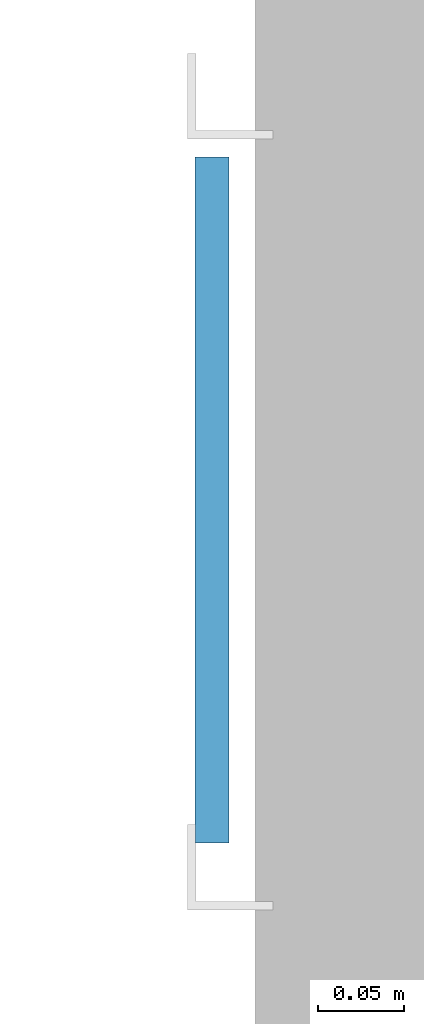
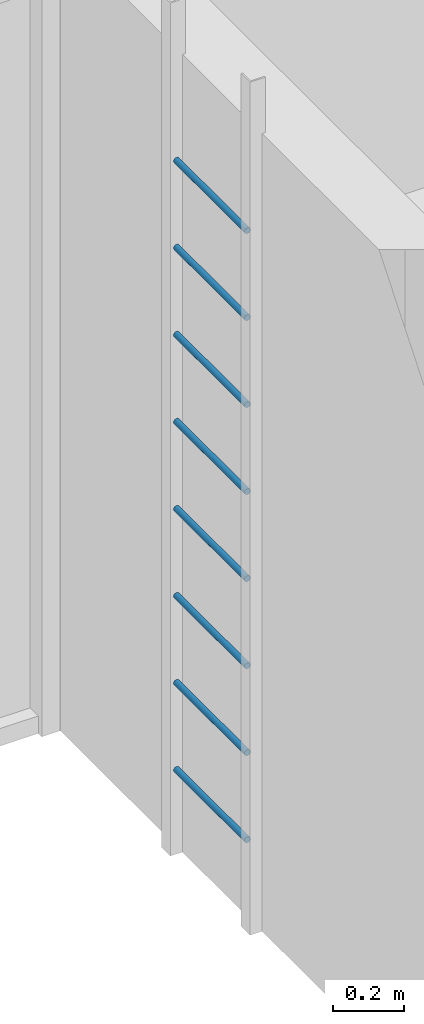
# One storey, part 15 of 33: 8 members.
"""IFC4 building model written with IfcOpenShell, lengths in metres."""

from ifc_helpers import new_model, si_unit, direction, frame, origin, origin_2d, place, context, subcontext, project, spatial, circle, extrude, material, material_profile, profile_set, type_object, element, save


model = new_model("IFC4")

# Units and contexts
model_context = context("Model", 3, precision=1e-05, world=origin(), true_north=direction((0.0, 1.0)))
body_context = subcontext(model_context, "Body", "Model", "MODEL_VIEW")
ifc_project = project(units=[si_unit("LENGTHUNIT", "METRE"), si_unit("AREAUNIT", "SQUARE_METRE"), si_unit("VOLUMEUNIT", "CUBIC_METRE"), si_unit("PLANEANGLEUNIT", "RADIAN"), si_unit("MASSUNIT", "GRAM", prefix="KILO")], contexts=[model_context])

# Site, building, storey
site_placement = place(None, origin())
site = spatial("IfcSite", under=ifc_project, at=site_placement, CompositionType="ELEMENT")
building_placement = place(site_placement, origin())
building = spatial("IfcBuilding", under=site, at=building_placement, Name="Ridgestep Commons", CompositionType="ELEMENT")
storey_placement = place(building_placement, frame((0.0, 0.0, 42.0)))
storey = spatial("IfcBuildingStorey", under=building, at=storey_placement, Name="L14", CompositionType="ELEMENT", Elevation=42.0)

# Members
ifc_material = material(Name="Structural steel S355JR", Category="steel")
ifc_material_profile = material_profile(ifc_material, circle(Radius=0.010009765625, at=origin_2d()), Name="Round bar 20")
ifc_profile_set = profile_set([ifc_material_profile], Name="Structural steel S355JR")
member_type = type_object("IfcMemberType", Name="Core ladder rung 20", PredefinedType="STRINGER", material=ifc_profile_set)
for number, where, z_axis, x_axis, name in (
    (1, (25.800048828125, 21.64990234375, 0.300048828125), (0.0, 1.0, 0.0), (-1.0, 0.0, 0.0), "Ladder rung A1C.1"),
    (2, (25.800048828125, 21.64990234375, 0.60009765625), (0.0, 1.0, 0.0), (-1.0, 0.0, 0.0), "Ladder rung A1C.2"),
    (3, (25.800048828125, 21.64990234375, 0.89990234375), (0.0, 1.0, 0.0), (-1.0, 0.0, 0.0), "Ladder rung A1C.3"),
    (4, (25.800048828125, 21.64990234375, 1.199951171875), (0.0, 1.0, 0.0), (-1.0, 0.0, 0.0), "Ladder rung A1C.4"),
    (5, (25.800048828125, 21.64990234375, 1.5), (0.0, 1.0, 0.0), (-1.0, 0.0, 0.0), "Ladder rung A1C.5"),
    (6, (25.800048828125, 21.64990234375, 1.800048828125), (0.0, 1.0, 0.0), (-1.0, 0.0, 0.0), "Ladder rung A1C.6"),
    (7, (25.800048828125, 21.64990234375, 2.10009765625), (0.0, 1.0, 0.0), (-1.0, 0.0, 0.0), "Ladder rung A1C.7"),
    (8, (25.800048828125, 21.64990234375, 2.39990234375), (0.0, 1.0, 0.0), (-1.0, 0.0, 0.0), "Ladder rung A1C.8"),
):
    element("IfcMember", number, at=place(storey_placement, frame(where, z_axis=z_axis, x_axis=x_axis)), inside=storey, type_object=member_type, Name=name, PredefinedType="STRINGER", context=body_context, shape_type="SweptSolid", body=[
        extrude(circle(Radius=0.010009765625, at=origin_2d()), origin(), (0.0, 0.0, 1.0), 0.400146484375),
    ])

save(model, "model.ifc")
